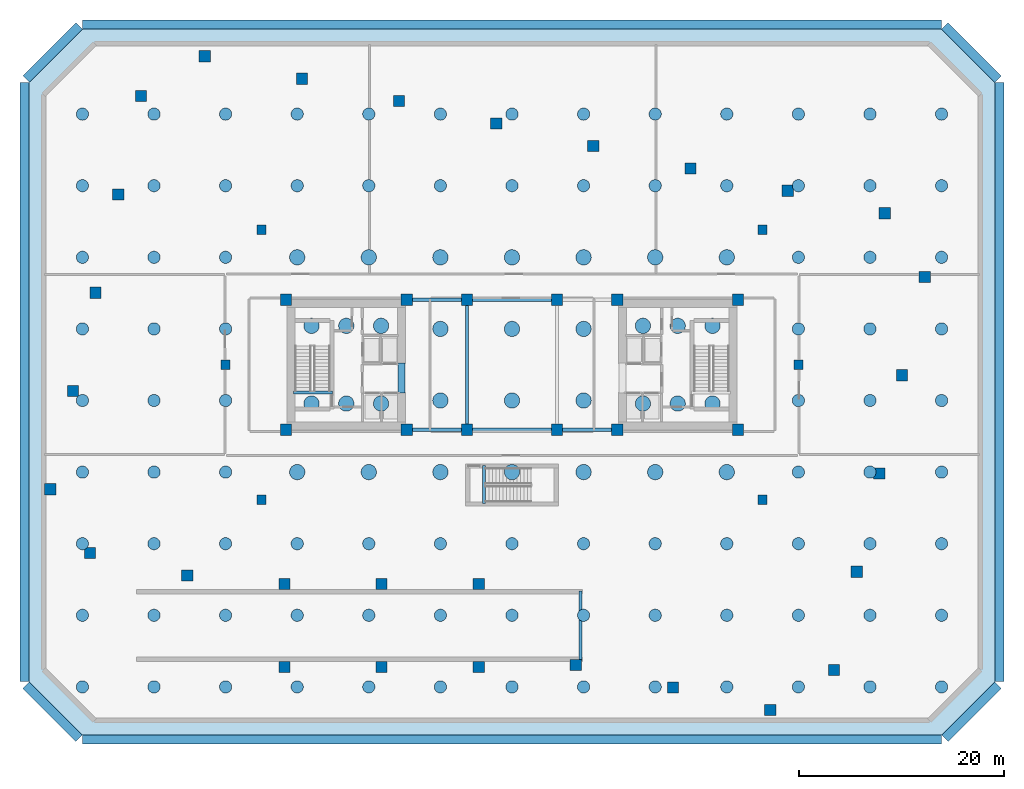
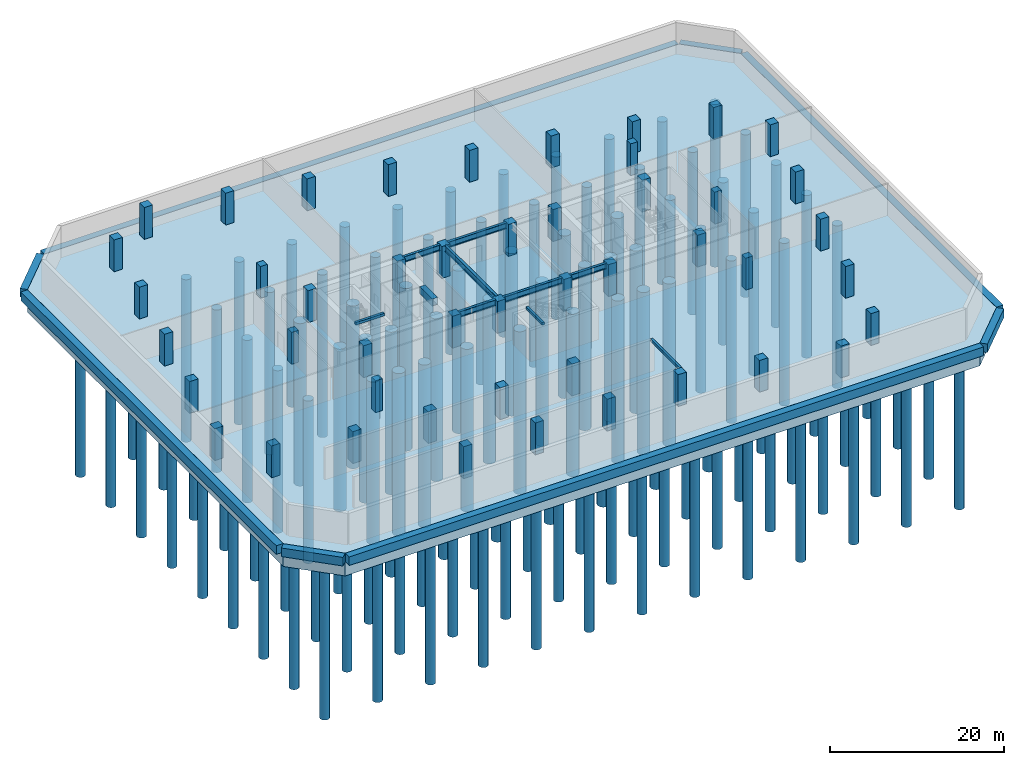
# One storey, part 1 of 10: 121 piles, 47 columns, 10 beams, 9 footings.
"""IFC4 building model written with IfcOpenShell, lengths in metres."""

from ifc_helpers import new_model, si_unit, direction, frame, origin, origin_2d, place, context, subcontext, project, spatial, polyline, rectangle, circle, i_section, outline, extrude, material, layer, layer_set, material_profile, profile_set, type_object, element, save


model = new_model("IFC4")

# Units and contexts
model_context = context("Model", 3, precision=1e-05, world=origin(), true_north=direction((0.0, 1.0)))
body_context = subcontext(model_context, "Body", "Model", "MODEL_VIEW")
ifc_project = project(units=[si_unit("LENGTHUNIT", "METRE"), si_unit("AREAUNIT", "SQUARE_METRE"), si_unit("VOLUMEUNIT", "CUBIC_METRE"), si_unit("PLANEANGLEUNIT", "RADIAN"), si_unit("MASSUNIT", "GRAM", prefix="KILO")], contexts=[model_context])

# Site, building, storey
site_placement = place(None, origin())
site = spatial("IfcSite", under=ifc_project, at=site_placement, CompositionType="ELEMENT")
building_placement = place(site_placement, origin())
building = spatial("IfcBuilding", under=site, at=building_placement, Name="Tavrogorsk Clinical Tower", CompositionType="ELEMENT")
storey_placement = place(building_placement, frame((0.0, 0.0, -10.199951171875)))
storey = spatial("IfcBuildingStorey", under=building, at=storey_placement, Name="B2", CompositionType="ELEMENT", Elevation=-10.199951171875)

# Piles
ifc_material_1 = material(Name="Concrete B60", Category="concrete")
ifc_material_profile_1 = material_profile(ifc_material_1, circle(Radius=0.60009765625, at=origin_2d()), Name="BORED-PILE-1200")
ifc_profile_set_1 = profile_set([ifc_material_profile_1], Name="Concrete B60")
pile_type_1 = type_object("IfcPileType", Name="BoredPile_1200", PredefinedType="BORED", material=ifc_profile_set_1)
for number, where, z_axis, x_axis, name in (
    (1, (-42.0, -31.5, -3.050048828125), (0.0, 0.0, -1.0), (1.0, 0.0, 0.0), "Bored Pile P2 (1,1)"),
    (2, (-42.0, -24.5, -3.050048828125), (0.0, 0.0, -1.0), (1.0, 0.0, 0.0), "Bored Pile P2 (1,2)"),
    (3, (-42.0, -17.5, -3.050048828125), (0.0, 0.0, -1.0), (1.0, 0.0, 0.0), "Bored Pile P2 (1,3)"),
    (4, (-42.0, -10.5, -3.050048828125), (0.0, 0.0, -1.0), (1.0, 0.0, 0.0), "Bored Pile P2 (1,4)"),
    (5, (-42.0, -3.5, -3.050048828125), (0.0, 0.0, -1.0), (1.0, 0.0, 0.0), "Bored Pile P2 (1,5)"),
    (6, (-42.0, 3.5, -3.050048828125), (0.0, 0.0, -1.0), (1.0, 0.0, 0.0), "Bored Pile P2 (1,6)"),
    (7, (-42.0, 10.5, -3.050048828125), (0.0, 0.0, -1.0), (1.0, 0.0, 0.0), "Bored Pile P2 (1,7)"),
    (8, (-42.0, 17.5, -3.050048828125), (0.0, 0.0, -1.0), (1.0, 0.0, 0.0), "Bored Pile P2 (1,8)"),
    (9, (-42.0, 24.5, -3.050048828125), (0.0, 0.0, -1.0), (1.0, 0.0, 0.0), "Bored Pile P2 (1,9)"),
    (10, (-35.0, -31.5, -3.050048828125), (0.0, 0.0, -1.0), (1.0, 0.0, 0.0), "Bored Pile P2 (2,1)"),
    (11, (-35.0, -24.5, -3.050048828125), (0.0, 0.0, -1.0), (1.0, 0.0, 0.0), "Bored Pile P2 (2,2)"),
    (12, (-35.0, -17.5, -3.050048828125), (0.0, 0.0, -1.0), (1.0, 0.0, 0.0), "Bored Pile P2 (2,3)"),
    (13, (-35.0, -10.5, -3.050048828125), (0.0, 0.0, -1.0), (1.0, 0.0, 0.0), "Bored Pile P2 (2,4)"),
    (14, (-35.0, -3.5, -3.050048828125), (0.0, 0.0, -1.0), (1.0, 0.0, 0.0), "Bored Pile P2 (2,5)"),
    (15, (-35.0, 3.5, -3.050048828125), (0.0, 0.0, -1.0), (1.0, 0.0, 0.0), "Bored Pile P2 (2,6)"),
    (16, (-35.0, 10.5, -3.050048828125), (0.0, 0.0, -1.0), (1.0, 0.0, 0.0), "Bored Pile P2 (2,7)"),
    (17, (-35.0, 17.5, -3.050048828125), (0.0, 0.0, -1.0), (1.0, 0.0, 0.0), "Bored Pile P2 (2,8)"),
    (18, (-35.0, 24.5, -3.050048828125), (0.0, 0.0, -1.0), (1.0, 0.0, 0.0), "Bored Pile P2 (2,9)"),
    (19, (-28.0, -31.5, -3.050048828125), (0.0, 0.0, -1.0), (1.0, 0.0, 0.0), "Bored Pile P2 (3,1)"),
    (20, (-28.0, -24.5, -3.050048828125), (0.0, 0.0, -1.0), (1.0, 0.0, 0.0), "Bored Pile P2 (3,2)"),
    (21, (-28.0, -17.5, -3.050048828125), (0.0, 0.0, -1.0), (1.0, 0.0, 0.0), "Bored Pile P2 (3,3)"),
    (22, (-28.0, -10.5, -3.050048828125), (0.0, 0.0, -1.0), (1.0, 0.0, 0.0), "Bored Pile P2 (3,4)"),
    (23, (-28.0, -3.5, -3.050048828125), (0.0, 0.0, -1.0), (1.0, 0.0, 0.0), "Bored Pile P2 (3,5)"),
    (24, (-28.0, 3.5, -3.050048828125), (0.0, 0.0, -1.0), (1.0, 0.0, 0.0), "Bored Pile P2 (3,6)"),
    (25, (-28.0, 10.5, -3.050048828125), (0.0, 0.0, -1.0), (1.0, 0.0, 0.0), "Bored Pile P2 (3,7)"),
    (26, (-28.0, 17.5, -3.050048828125), (0.0, 0.0, -1.0), (1.0, 0.0, 0.0), "Bored Pile P2 (3,8)"),
    (27, (-28.0, 24.5, -3.050048828125), (0.0, 0.0, -1.0), (1.0, 0.0, 0.0), "Bored Pile P2 (3,9)"),
    (28, (-21.0, -31.5, -3.050048828125), (0.0, 0.0, -1.0), (1.0, 0.0, 0.0), "Bored Pile P2 (4,1)"),
    (29, (-21.0, -24.5, -3.050048828125), (0.0, 0.0, -1.0), (1.0, 0.0, 0.0), "Bored Pile P2 (4,2)"),
    (30, (-21.0, -17.5, -3.050048828125), (0.0, 0.0, -1.0), (1.0, 0.0, 0.0), "Bored Pile P2 (4,3)"),
    (31, (-21.0, 17.5, -3.050048828125), (0.0, 0.0, -1.0), (1.0, 0.0, 0.0), "Bored Pile P2 (4,8)"),
    (32, (-21.0, 24.5, -3.050048828125), (0.0, 0.0, -1.0), (1.0, 0.0, 0.0), "Bored Pile P2 (4,9)"),
    (33, (-14.0, -31.5, -3.050048828125), (0.0, 0.0, -1.0), (1.0, 0.0, 0.0), "Bored Pile P2 (5,1)"),
    (34, (-14.0, -24.5, -3.050048828125), (0.0, 0.0, -1.0), (1.0, 0.0, 0.0), "Bored Pile P2 (5,2)"),
    (35, (-14.0, -17.5, -3.050048828125), (0.0, 0.0, -1.0), (1.0, 0.0, 0.0), "Bored Pile P2 (5,3)"),
    (36, (-14.0, 17.5, -3.050048828125), (0.0, 0.0, -1.0), (1.0, 0.0, 0.0), "Bored Pile P2 (5,8)"),
    (37, (-14.0, 24.5, -3.050048828125), (0.0, 0.0, -1.0), (1.0, 0.0, 0.0), "Bored Pile P2 (5,9)"),
    (38, (-7.0, -31.5, -3.050048828125), (0.0, 0.0, -1.0), (1.0, 0.0, 0.0), "Bored Pile P2 (6,1)"),
    (39, (-7.0, -24.5, -3.050048828125), (0.0, 0.0, -1.0), (1.0, 0.0, 0.0), "Bored Pile P2 (6,2)"),
    (40, (-7.0, -17.5, -3.050048828125), (0.0, 0.0, -1.0), (1.0, 0.0, 0.0), "Bored Pile P2 (6,3)"),
    (41, (-7.0, 17.5, -3.050048828125), (0.0, 0.0, -1.0), (1.0, 0.0, 0.0), "Bored Pile P2 (6,8)"),
    (42, (-7.0, 24.5, -3.050048828125), (0.0, 0.0, -1.0), (1.0, 0.0, 0.0), "Bored Pile P2 (6,9)"),
    (43, (0.0, -31.5, -3.050048828125), (0.0, 0.0, -1.0), (1.0, 0.0, 0.0), "Bored Pile P2 (7,1)"),
    (44, (0.0, -24.5, -3.050048828125), (0.0, 0.0, -1.0), (1.0, 0.0, 0.0), "Bored Pile P2 (7,2)"),
    (45, (0.0, -17.5, -3.050048828125), (0.0, 0.0, -1.0), (1.0, 0.0, 0.0), "Bored Pile P2 (7,3)"),
    (46, (0.0, 17.5, -3.050048828125), (0.0, 0.0, -1.0), (1.0, 0.0, 0.0), "Bored Pile P2 (7,8)"),
    (47, (0.0, 24.5, -3.050048828125), (0.0, 0.0, -1.0), (1.0, 0.0, 0.0), "Bored Pile P2 (7,9)"),
    (48, (7.0, -31.5, -3.050048828125), (0.0, 0.0, -1.0), (1.0, 0.0, 0.0), "Bored Pile P2 (8,1)"),
    (49, (7.0, -24.5, -3.050048828125), (0.0, 0.0, -1.0), (1.0, 0.0, 0.0), "Bored Pile P2 (8,2)"),
    (50, (7.0, -17.5, -3.050048828125), (0.0, 0.0, -1.0), (1.0, 0.0, 0.0), "Bored Pile P2 (8,3)"),
    (51, (7.0, 17.5, -3.050048828125), (0.0, 0.0, -1.0), (1.0, 0.0, 0.0), "Bored Pile P2 (8,8)"),
    (52, (7.0, 24.5, -3.050048828125), (0.0, 0.0, -1.0), (1.0, 0.0, 0.0), "Bored Pile P2 (8,9)"),
    (53, (14.0, -31.5, -3.050048828125), (0.0, 0.0, -1.0), (1.0, 0.0, 0.0), "Bored Pile P2 (9,1)"),
    (54, (14.0, -24.5, -3.050048828125), (0.0, 0.0, -1.0), (1.0, 0.0, 0.0), "Bored Pile P2 (9,2)"),
    (55, (14.0, -17.5, -3.050048828125), (0.0, 0.0, -1.0), (1.0, 0.0, 0.0), "Bored Pile P2 (9,3)"),
    (56, (14.0, 17.5, -3.050048828125), (0.0, 0.0, -1.0), (1.0, 0.0, 0.0), "Bored Pile P2 (9,8)"),
    (57, (14.0, 24.5, -3.050048828125), (0.0, 0.0, -1.0), (1.0, 0.0, 0.0), "Bored Pile P2 (9,9)"),
    (58, (21.0, -31.5, -3.050048828125), (0.0, 0.0, -1.0), (1.0, 0.0, 0.0), "Bored Pile P2 (10,1)"),
    (59, (21.0, -24.5, -3.050048828125), (0.0, 0.0, -1.0), (1.0, 0.0, 0.0), "Bored Pile P2 (10,2)"),
    (60, (21.0, -17.5, -3.050048828125), (0.0, 0.0, -1.0), (1.0, 0.0, 0.0), "Bored Pile P2 (10,3)"),
    (61, (21.0, 17.5, -3.050048828125), (0.0, 0.0, -1.0), (1.0, 0.0, 0.0), "Bored Pile P2 (10,8)"),
    (62, (21.0, 24.5, -3.050048828125), (0.0, 0.0, -1.0), (1.0, 0.0, 0.0), "Bored Pile P2 (10,9)"),
    (63, (28.0, -31.5, -3.050048828125), (0.0, 0.0, -1.0), (1.0, 0.0, 0.0), "Bored Pile P2 (11,1)"),
    (64, (28.0, -24.5, -3.050048828125), (0.0, 0.0, -1.0), (1.0, 0.0, 0.0), "Bored Pile P2 (11,2)"),
    (65, (28.0, -17.5, -3.050048828125), (0.0, 0.0, -1.0), (1.0, 0.0, 0.0), "Bored Pile P2 (11,3)"),
    (66, (28.0, -10.5, -3.050048828125), (0.0, 0.0, -1.0), (1.0, 0.0, 0.0), "Bored Pile P2 (11,4)"),
    (67, (28.0, -3.5, -3.050048828125), (0.0, 0.0, -1.0), (1.0, 0.0, 0.0), "Bored Pile P2 (11,5)"),
    (68, (28.0, 3.5, -3.050048828125), (0.0, 0.0, -1.0), (1.0, 0.0, 0.0), "Bored Pile P2 (11,6)"),
    (69, (28.0, 10.5, -3.050048828125), (0.0, 0.0, -1.0), (1.0, 0.0, 0.0), "Bored Pile P2 (11,7)"),
    (70, (28.0, 17.5, -3.050048828125), (0.0, 0.0, -1.0), (1.0, 0.0, 0.0), "Bored Pile P2 (11,8)"),
    (71, (28.0, 24.5, -3.050048828125), (0.0, 0.0, -1.0), (1.0, 0.0, 0.0), "Bored Pile P2 (11,9)"),
    (72, (35.0, -31.5, -3.050048828125), (0.0, 0.0, -1.0), (1.0, 0.0, 0.0), "Bored Pile P2 (12,1)"),
    (73, (35.0, -24.5, -3.050048828125), (0.0, 0.0, -1.0), (1.0, 0.0, 0.0), "Bored Pile P2 (12,2)"),
    (74, (35.0, -17.5, -3.050048828125), (0.0, 0.0, -1.0), (1.0, 0.0, 0.0), "Bored Pile P2 (12,3)"),
    (75, (35.0, -10.5, -3.050048828125), (0.0, 0.0, -1.0), (1.0, 0.0, 0.0), "Bored Pile P2 (12,4)"),
    (76, (35.0, -3.5, -3.050048828125), (0.0, 0.0, -1.0), (1.0, 0.0, 0.0), "Bored Pile P2 (12,5)"),
    (77, (35.0, 3.5, -3.050048828125), (0.0, 0.0, -1.0), (1.0, 0.0, 0.0), "Bored Pile P2 (12,6)"),
    (78, (35.0, 10.5, -3.050048828125), (0.0, 0.0, -1.0), (1.0, 0.0, 0.0), "Bored Pile P2 (12,7)"),
    (79, (35.0, 17.5, -3.050048828125), (0.0, 0.0, -1.0), (1.0, 0.0, 0.0), "Bored Pile P2 (12,8)"),
    (80, (35.0, 24.5, -3.050048828125), (0.0, 0.0, -1.0), (1.0, 0.0, 0.0), "Bored Pile P2 (12,9)"),
    (81, (42.0, -31.5, -3.050048828125), (0.0, 0.0, -1.0), (1.0, 0.0, 0.0), "Bored Pile P2 (13,1)"),
    (82, (42.0, -24.5, -3.050048828125), (0.0, 0.0, -1.0), (1.0, 0.0, 0.0), "Bored Pile P2 (13,2)"),
    (83, (42.0, -17.5, -3.050048828125), (0.0, 0.0, -1.0), (1.0, 0.0, 0.0), "Bored Pile P2 (13,3)"),
    (84, (42.0, -10.5, -3.050048828125), (0.0, 0.0, -1.0), (1.0, 0.0, 0.0), "Bored Pile P2 (13,4)"),
    (85, (42.0, -3.5, -3.050048828125), (0.0, 0.0, -1.0), (1.0, 0.0, 0.0), "Bored Pile P2 (13,5)"),
    (86, (42.0, 3.5, -3.050048828125), (0.0, 0.0, -1.0), (1.0, 0.0, 0.0), "Bored Pile P2 (13,6)"),
    (87, (42.0, 10.5, -3.050048828125), (0.0, 0.0, -1.0), (1.0, 0.0, 0.0), "Bored Pile P2 (13,7)"),
    (88, (42.0, 17.5, -3.050048828125), (0.0, 0.0, -1.0), (1.0, 0.0, 0.0), "Bored Pile P2 (13,8)"),
    (89, (42.0, 24.5, -3.050048828125), (0.0, 0.0, -1.0), (1.0, 0.0, 0.0), "Bored Pile P2 (13,9)"),
):
    element("IfcPile", number, at=place(storey_placement, frame(where, z_axis=z_axis, x_axis=x_axis)), inside=storey, type_object=pile_type_1, Name=name, PredefinedType="BORED", context=body_context, shape_type="SweptSolid", body=[
        extrude(circle(Radius=0.60009765625, at=origin_2d()), origin(), (0.0, 0.0, 1.0), 22.75),
    ])
ifc_material_2 = material(Name="Concrete B60", Category="concrete")
ifc_material_profile_2 = material_profile(ifc_material_2, circle(Radius=0.75, at=origin_2d()), Name="BORED-PILE-1500")
ifc_profile_set_2 = profile_set([ifc_material_profile_2], Name="Concrete B60")
pile_type_2 = type_object("IfcPileType", Name="BoredPile_1500", PredefinedType="BORED", material=ifc_profile_set_2)
for number, where, z_axis, x_axis, name in (
    (90, (-19.60009765625, -3.800048828125, -3.050048828125), (0.0, 0.0, -1.0), (1.0, 0.0, 0.0), "Core Bored Pile P1-C01"),
    (91, (-16.199951171875, -3.800048828125, -3.050048828125), (0.0, 0.0, -1.0), (1.0, 0.0, 0.0), "Core Bored Pile P1-C02"),
    (92, (-12.800048828125, -3.800048828125, -3.050048828125), (0.0, 0.0, -1.0), (1.0, 0.0, 0.0), "Core Bored Pile P1-C03"),
    (93, (-19.60009765625, 3.800048828125, -3.050048828125), (0.0, 0.0, -1.0), (1.0, 0.0, 0.0), "Core Bored Pile P1-C04"),
    (94, (-16.199951171875, 3.800048828125, -3.050048828125), (0.0, 0.0, -1.0), (1.0, 0.0, 0.0), "Core Bored Pile P1-C05"),
    (95, (-12.800048828125, 3.800048828125, -3.050048828125), (0.0, 0.0, -1.0), (1.0, 0.0, 0.0), "Core Bored Pile P1-C06"),
    (96, (12.800048828125, -3.800048828125, -3.050048828125), (0.0, 0.0, -1.0), (1.0, 0.0, 0.0), "Core Bored Pile P1-C07"),
    (97, (16.199951171875, -3.800048828125, -3.050048828125), (0.0, 0.0, -1.0), (1.0, 0.0, 0.0), "Core Bored Pile P1-C08"),
    (98, (19.60009765625, -3.800048828125, -3.050048828125), (0.0, 0.0, -1.0), (1.0, 0.0, 0.0), "Core Bored Pile P1-C09"),
    (99, (12.800048828125, 3.800048828125, -3.050048828125), (0.0, 0.0, -1.0), (1.0, 0.0, 0.0), "Core Bored Pile P1-C10"),
    (100, (16.199951171875, 3.800048828125, -3.050048828125), (0.0, 0.0, -1.0), (1.0, 0.0, 0.0), "Core Bored Pile P1-C11"),
    (101, (19.60009765625, 3.800048828125, -3.050048828125), (0.0, 0.0, -1.0), (1.0, 0.0, 0.0), "Core Bored Pile P1-C12"),
    (102, (-21.0, -10.5, -3.050048828125), (0.0, 0.0, -1.0), (1.0, 0.0, 0.0), "Bored Pile P1 (4,4)"),
    (103, (-21.0, 10.5, -3.050048828125), (0.0, 0.0, -1.0), (1.0, 0.0, 0.0), "Bored Pile P1 (4,7)"),
    (104, (-14.0, -10.5, -3.050048828125), (0.0, 0.0, -1.0), (1.0, 0.0, 0.0), "Bored Pile P1 (5,4)"),
    (105, (-14.0, 10.5, -3.050048828125), (0.0, 0.0, -1.0), (1.0, 0.0, 0.0), "Bored Pile P1 (5,7)"),
    (106, (-7.0, -10.5, -3.050048828125), (0.0, 0.0, -1.0), (1.0, 0.0, 0.0), "Bored Pile P1 (6,4)"),
    (107, (-7.0, -3.5, -3.050048828125), (0.0, 0.0, -1.0), (1.0, 0.0, 0.0), "Bored Pile P1 (6,5)"),
    (108, (-7.0, 3.5, -3.050048828125), (0.0, 0.0, -1.0), (1.0, 0.0, 0.0), "Bored Pile P1 (6,6)"),
    (109, (-7.0, 10.5, -3.050048828125), (0.0, 0.0, -1.0), (1.0, 0.0, 0.0), "Bored Pile P1 (6,7)"),
    (110, (0.0, -10.5, -3.050048828125), (0.0, 0.0, -1.0), (1.0, 0.0, 0.0), "Bored Pile P1 (7,4)"),
    (111, (0.0, -3.5, -3.050048828125), (0.0, 0.0, -1.0), (1.0, 0.0, 0.0), "Bored Pile P1 (7,5)"),
    (112, (0.0, 3.5, -3.050048828125), (0.0, 0.0, -1.0), (1.0, 0.0, 0.0), "Bored Pile P1 (7,6)"),
    (113, (0.0, 10.5, -3.050048828125), (0.0, 0.0, -1.0), (1.0, 0.0, 0.0), "Bored Pile P1 (7,7)"),
    (114, (7.0, -10.5, -3.050048828125), (0.0, 0.0, -1.0), (1.0, 0.0, 0.0), "Bored Pile P1 (8,4)"),
    (115, (7.0, -3.5, -3.050048828125), (0.0, 0.0, -1.0), (1.0, 0.0, 0.0), "Bored Pile P1 (8,5)"),
    (116, (7.0, 3.5, -3.050048828125), (0.0, 0.0, -1.0), (1.0, 0.0, 0.0), "Bored Pile P1 (8,6)"),
    (117, (7.0, 10.5, -3.050048828125), (0.0, 0.0, -1.0), (1.0, 0.0, 0.0), "Bored Pile P1 (8,7)"),
    (118, (14.0, -10.5, -3.050048828125), (0.0, 0.0, -1.0), (1.0, 0.0, 0.0), "Bored Pile P1 (9,4)"),
    (119, (14.0, 10.5, -3.050048828125), (0.0, 0.0, -1.0), (1.0, 0.0, 0.0), "Bored Pile P1 (9,7)"),
    (120, (21.0, -10.5, -3.050048828125), (0.0, 0.0, -1.0), (1.0, 0.0, 0.0), "Bored Pile P1 (10,4)"),
    (121, (21.0, 10.5, -3.050048828125), (0.0, 0.0, -1.0), (1.0, 0.0, 0.0), "Bored Pile P1 (10,7)"),
):
    element("IfcPile", number, at=place(storey_placement, frame(where, z_axis=z_axis, x_axis=x_axis)), inside=storey, type_object=pile_type_2, Name=name, PredefinedType="BORED", context=body_context, shape_type="SweptSolid", body=[
        extrude(circle(Radius=0.75, at=origin_2d()), origin(), (0.0, 0.0, 1.0), 22.75),
    ])

# Footings
ifc_material_3 = material(Name="Concrete B60", Category="concrete")
ifc_material_profile_3 = material_profile(ifc_material_3, rectangle(XDim=0.89990234375, YDim=1.199951171875, at=origin_2d()), Name="RC-GB-900x1200")
ifc_profile_set_3 = profile_set([ifc_material_profile_3], Name="Concrete B60")
footing_type_1 = type_object("IfcFootingType", Name="GroundBeam_900x1200", PredefinedType="FOOTING_BEAM", material=ifc_profile_set_3)
footing_1_placement = place(storey_placement, frame((-42.32861328125, -36.510498046875, -0.60009765625), z_axis=(-0.707106781187, 0.707106781187, 0.0), x_axis=(-0.707106781187, -0.707106781187, 0.0)))
element("IfcFooting", 122, at=footing_1_placement, inside=storey, type_object=footing_type_1, Name="Perimeter Ground Beam GB-01", PredefinedType="FOOTING_BEAM", context=body_context, shape_type="SweptSolid", body=[
    extrude(rectangle(XDim=0.89990234375, YDim=1.199951171875, at=origin_2d()), origin(), (0.0, 0.0, 1.0), 7.328369140625),
])
footing_2_placement = place(storey_placement, frame((-47.652099609375, -30.9873046875, -0.60009765625), z_axis=(0.0, 1.0, 0.0), x_axis=(-1.0, 0.0, 0.0)))
element("IfcFooting", 123, at=footing_2_placement, inside=storey, type_object=footing_type_1, Name="Perimeter Ground Beam GB-02", PredefinedType="FOOTING_BEAM", context=body_context, shape_type="SweptSolid", body=[
    extrude(rectangle(XDim=0.89990234375, YDim=1.199951171875, at=origin_2d()), origin(), (0.0, 0.0, 1.0), 58.574462890625),
])
footing_3_placement = place(storey_placement, frame((-47.510498046875, 27.9287109375, -0.60009765625), z_axis=(0.707106781187, 0.707106781187, 0.0), x_axis=(-0.707106781187, 0.707106781187, 0.0)))
element("IfcFooting", 124, at=footing_3_placement, inside=storey, type_object=footing_type_1, Name="Perimeter Ground Beam GB-03", PredefinedType="FOOTING_BEAM", context=body_context, shape_type="SweptSolid", body=[
    extrude(rectangle(XDim=0.89990234375, YDim=1.199951171875, at=origin_2d()), origin(), (0.0, 0.0, 1.0), 7.328369140625),
])
footing_4_placement = place(storey_placement, frame((-41.9873046875, 33.251953125, -0.60009765625), z_axis=(1.0, 0.0, 0.0), x_axis=(0.0, 1.0, 0.0)))
element("IfcFooting", 125, at=footing_4_placement, inside=storey, type_object=footing_type_1, Name="Perimeter Ground Beam GB-04", PredefinedType="FOOTING_BEAM", context=body_context, shape_type="SweptSolid", body=[
    extrude(rectangle(XDim=0.89990234375, YDim=1.199951171875, at=origin_2d()), origin(), (0.0, 0.0, 1.0), 83.974609375),
])
footing_5_placement = place(storey_placement, frame((42.32861328125, 33.110595703125, -0.60009765625), z_axis=(0.707106781187, -0.707106781187, 0.0), x_axis=(0.707106781187, 0.707106781187, 0.0)))
element("IfcFooting", 126, at=footing_5_placement, inside=storey, type_object=footing_type_1, Name="Perimeter Ground Beam GB-05", PredefinedType="FOOTING_BEAM", context=body_context, shape_type="SweptSolid", body=[
    extrude(rectangle(XDim=0.89990234375, YDim=1.199951171875, at=origin_2d()), origin(), (0.0, 0.0, 1.0), 7.328369140625),
])
footing_6_placement = place(storey_placement, frame((47.652099609375, 27.587158203125, -0.60009765625), z_axis=(0.0, -1.0, 0.0), x_axis=(1.0, 0.0, 0.0)))
element("IfcFooting", 127, at=footing_6_placement, inside=storey, type_object=footing_type_1, Name="Perimeter Ground Beam GB-06", PredefinedType="FOOTING_BEAM", context=body_context, shape_type="SweptSolid", body=[
    extrude(rectangle(XDim=0.89990234375, YDim=1.199951171875, at=origin_2d()), origin(), (0.0, 0.0, 1.0), 58.574462890625),
])
footing_7_placement = place(storey_placement, frame((47.510498046875, -31.32861328125, -0.60009765625), z_axis=(-0.707106781187, -0.707106781187, 0.0), x_axis=(0.707106781187, -0.707106781187, 0.0)))
element("IfcFooting", 128, at=footing_7_placement, inside=storey, type_object=footing_type_1, Name="Perimeter Ground Beam GB-07", PredefinedType="FOOTING_BEAM", context=body_context, shape_type="SweptSolid", body=[
    extrude(rectangle(XDim=0.89990234375, YDim=1.199951171875, at=origin_2d()), origin(), (0.0, 0.0, 1.0), 7.328369140625),
])
footing_8_placement = place(storey_placement, frame((41.9873046875, -36.652099609375, -0.60009765625), z_axis=(-1.0, 0.0, 0.0), x_axis=(0.0, -1.0, 0.0)))
element("IfcFooting", 129, at=footing_8_placement, inside=storey, type_object=footing_type_1, Name="Perimeter Ground Beam GB-08", PredefinedType="FOOTING_BEAM", context=body_context, shape_type="SweptSolid", body=[
    extrude(rectangle(XDim=0.89990234375, YDim=1.199951171875, at=origin_2d()), origin(), (0.0, 0.0, 1.0), 83.974609375),
])
ifc_material_4 = material(Name="Concrete B60", Category="concrete")
ifc_layer = layer(ifc_material_4, 3.199951171875)
ifc_layer_set = layer_set([ifc_layer], Name="Concrete B60")
footing_type_2 = type_object("IfcFootingType", Name="RaftFooting_3200", PredefinedType="PILE_CAP", material=ifc_layer_set)
footing_9_placement = place(storey_placement, frame((0.0, 0.0, -3.199951171875)))
element("IfcFooting", 130, at=footing_9_placement, inside=storey, type_object=footing_type_2, Name="Combined Piled Raft RF-01", PredefinedType="PILE_CAP", context=body_context, shape_type="SweptSolid", body=[
    extrude(outline(polyline([(-42.0, -36.199951171875), (42.0, -36.199951171875), (47.199951171875, -31.0), (47.199951171875, 27.60009765625), (42.0, 32.800048828125), (-42.0, 32.800048828125), (-47.199951171875, 27.60009765625), (-47.199951171875, -31.0), (-42.0, -36.199951171875)])), origin(), (0.0, 0.0, 1.0), 3.199951171875),
])

# Columns
ifc_material_5 = material(Name="Concrete B80", Category="concrete")
ifc_material_profile_4 = material_profile(ifc_material_5, rectangle(XDim=1.10009765625, YDim=1.10009765625, at=origin_2d()), Name="RC-COL-1100x1100")
ifc_profile_set_4 = profile_set([ifc_material_profile_4], Name="Concrete B80")
column_type_1 = type_object("IfcColumnType", Name="BasementCol_RC1100", PredefinedType="COLUMN", material=ifc_profile_set_4)
for number, where, z_axis, x_axis, name in (
    (131, (-22.10009765625, -6.35009765625, 0.0), (0.0, 0.0, 1.0), (1.0, 0.0, 0.0), "B2 Mega Column MC-W1"),
    (132, (-22.10009765625, 6.35009765625, 0.0), (0.0, 0.0, 1.0), (1.0, 0.0, 0.0), "B2 Mega Column MC-W2"),
    (133, (-10.300048828125, -6.35009765625, 0.0), (0.0, 0.0, 1.0), (1.0, 0.0, 0.0), "B2 Mega Column MC-W3"),
    (134, (-10.300048828125, 6.35009765625, 0.0), (0.0, 0.0, 1.0), (1.0, 0.0, 0.0), "B2 Mega Column MC-W4"),
    (135, (10.300048828125, -6.35009765625, 0.0), (0.0, 0.0, 1.0), (1.0, 0.0, 0.0), "B2 Mega Column MC-E1"),
    (136, (10.300048828125, 6.35009765625, 0.0), (0.0, 0.0, 1.0), (1.0, 0.0, 0.0), "B2 Mega Column MC-E2"),
    (137, (22.10009765625, -6.35009765625, 0.0), (0.0, 0.0, 1.0), (1.0, 0.0, 0.0), "B2 Mega Column MC-E3"),
    (138, (22.10009765625, 6.35009765625, 0.0), (0.0, 0.0, 1.0), (1.0, 0.0, 0.0), "B2 Mega Column MC-E4"),
    (139, (-4.39990234375, -6.35009765625, 0.0), (0.0, 0.0, 1.0), (1.0, 0.0, 0.0), "B2 Mega Column MC-C1"),
    (140, (4.39990234375, -6.35009765625, 0.0), (0.0, 0.0, 1.0), (1.0, 0.0, 0.0), "B2 Mega Column MC-C2"),
    (141, (-4.39990234375, 6.35009765625, 0.0), (0.0, 0.0, 1.0), (1.0, 0.0, 0.0), "B2 Mega Column MC-C3"),
    (142, (4.39990234375, 6.35009765625, 0.0), (0.0, 0.0, 1.0), (1.0, 0.0, 0.0), "B2 Mega Column MC-C4"),
    (143, (-41.251220703125, -18.406005859375, 0.0), (0.0, 0.0, 1.0), (1.0, 0.0, 0.0), "B2 Open Pilotis Stilt S1"),
    (144, (-31.75244140625, -20.598876953125, 0.0), (0.0, 0.0, 1.0), (1.0, 0.0, 0.0), "B2 Open Pilotis Stilt S2"),
    (145, (-22.25390625, -29.550048828125, 0.0), (0.0, 0.0, 1.0), (1.0, 0.0, 0.0), "B2 Ramp Portal Stilt S3-S"),
    (146, (-22.25390625, -21.449951171875, 0.0), (0.0, 0.0, 1.0), (1.0, 0.0, 0.0), "B2 Ramp Portal Stilt S3-N"),
    (147, (-12.755126953125, -29.550048828125, 0.0), (0.0, 0.0, 1.0), (1.0, 0.0, 0.0), "B2 Ramp Portal Stilt S4-S"),
    (148, (-12.755126953125, -21.449951171875, 0.0), (0.0, 0.0, 1.0), (1.0, 0.0, 0.0), "B2 Ramp Portal Stilt S4-N"),
    (149, (-3.25634765625, -29.550048828125, 0.0), (0.0, 0.0, 1.0), (1.0, 0.0, 0.0), "B2 Ramp Portal Stilt S5-S"),
    (150, (-3.25634765625, -21.449951171875, 0.0), (0.0, 0.0, 1.0), (1.0, 0.0, 0.0), "B2 Ramp Portal Stilt S5-N"),
    (151, (6.2421875, -29.37060546875, 0.0), (0.0, 0.0, 1.0), (1.0, 0.0, 0.0), "B2 Open Pilotis Stilt S6"),
    (152, (15.740966796875, -31.563720703125, 0.0), (0.0, 0.0, 1.0), (1.0, 0.0, 0.0), "B2 Open Pilotis Stilt S7"),
    (153, (25.23974609375, -33.756591796875, 0.0), (0.0, 0.0, 1.0), (1.0, 0.0, 0.0), "B2 Open Pilotis Stilt S8"),
    (154, (36.451416015625, 14.805908203125, 0.0), (0.0, 0.0, 1.0), (1.0, 0.0, 0.0), "B2 Open Pilotis Stilt N1"),
    (155, (26.952392578125, 16.998779296875, 0.0), (0.0, 0.0, 1.0), (1.0, 0.0, 0.0), "B2 Open Pilotis Stilt N2"),
    (156, (17.453857421875, 19.19189453125, 0.0), (0.0, 0.0, 1.0), (1.0, 0.0, 0.0), "B2 Open Pilotis Stilt N3"),
    (157, (7.955078125, 21.384765625, 0.0), (0.0, 0.0, 1.0), (1.0, 0.0, 0.0), "B2 Open Pilotis Stilt N4"),
    (158, (-1.543701171875, 23.577880859375, 0.0), (0.0, 0.0, 1.0), (1.0, 0.0, 0.0), "B2 Open Pilotis Stilt N5"),
    (159, (-11.042236328125, 25.770751953125, 0.0), (0.0, 0.0, 1.0), (1.0, 0.0, 0.0), "B2 Open Pilotis Stilt N6"),
    (160, (-20.541015625, 27.963623046875, 0.0), (0.0, 0.0, 1.0), (1.0, 0.0, 0.0), "B2 Open Pilotis Stilt N7"),
    (161, (-30.039794921875, 30.156494140625, 0.0), (0.0, 0.0, 1.0), (1.0, 0.0, 0.0), "B2 Open Pilotis Stilt N8"),
    (162, (31.476318359375, -29.859619140625, 0.0), (0.0, 0.0, 1.0), (1.0, 0.0, 0.0), "B2 Open Pilotis Stilt E1"),
    (163, (33.694091796875, -20.25244140625, 0.0), (0.0, 0.0, 1.0), (1.0, 0.0, 0.0), "B2 Open Pilotis Stilt E2"),
    (164, (35.912109375, -10.64501953125, 0.0), (0.0, 0.0, 1.0), (1.0, 0.0, 0.0), "B2 Open Pilotis Stilt E3"),
    (165, (38.130126953125, -1.037841796875, 0.0), (0.0, 0.0, 1.0), (1.0, 0.0, 0.0), "B2 Open Pilotis Stilt E4"),
    (166, (40.348388671875, 8.569580078125, 0.0), (0.0, 0.0, 1.0), (1.0, 0.0, 0.0), "B2 Open Pilotis Stilt E5"),
    (167, (-36.276123046875, 26.259765625, 0.0), (0.0, 0.0, 1.0), (1.0, 0.0, 0.0), "B2 Open Pilotis Stilt W1"),
    (168, (-38.494140625, 16.65234375, 0.0), (0.0, 0.0, 1.0), (1.0, 0.0, 0.0), "B2 Open Pilotis Stilt W2"),
    (169, (-40.712158203125, 7.045166015625, 0.0), (0.0, 0.0, 1.0), (1.0, 0.0, 0.0), "B2 Open Pilotis Stilt W3"),
    (170, (-42.93017578125, -2.562255859375, 0.0), (0.0, 0.0, 1.0), (1.0, 0.0, 0.0), "B2 Open Pilotis Stilt W4"),
    (171, (-45.148193359375, -12.16943359375, 0.0), (0.0, 0.0, 1.0), (1.0, 0.0, 0.0), "B2 Open Pilotis Stilt W5"),
):
    element("IfcColumn", number, at=place(storey_placement, frame(where, z_axis=z_axis, x_axis=x_axis)), inside=storey, type_object=column_type_1, Name=name, PredefinedType="COLUMN", context=body_context, shape_type="SweptSolid", body=[
        extrude(rectangle(XDim=1.10009765625, YDim=1.10009765625, at=origin_2d()), origin(), (0.0, 0.0, 1.0), 4.449951171875),
    ])
ifc_material_6 = material(Name="Concrete B80", Category="concrete")
ifc_material_profile_5 = material_profile(ifc_material_6, rectangle(XDim=0.89990234375, YDim=0.89990234375, at=origin_2d()), Name="RC-COL-900x900")
ifc_profile_set_5 = profile_set([ifc_material_profile_5], Name="Concrete B80")
column_type_2 = type_object("IfcColumnType", Name="BasementCol_RC900", PredefinedType="COLUMN", material=ifc_profile_set_5)
for number, where, z_axis, x_axis, name in (
    (172, (-24.5, -13.199951171875, 0.0), (0.0, 0.0, 1.0), (1.0, 0.0, 0.0), "B2 Spine Pilotis Column MC-P1"),
    (173, (24.5, -13.199951171875, 0.0), (0.0, 0.0, 1.0), (1.0, 0.0, 0.0), "B2 Spine Pilotis Column MC-P2"),
    (174, (-24.5, 13.199951171875, 0.0), (0.0, 0.0, 1.0), (1.0, 0.0, 0.0), "B2 Spine Pilotis Column MC-P3"),
    (175, (24.5, 13.199951171875, 0.0), (0.0, 0.0, 1.0), (1.0, 0.0, 0.0), "B2 Spine Pilotis Column MC-P4"),
    (176, (-28.0, 0.0, 0.0), (0.0, 0.0, 1.0), (1.0, 0.0, 0.0), "B2 Spine Pilotis Column MC-P5"),
    (177, (28.0, 0.0, 0.0), (0.0, 0.0, 1.0), (1.0, 0.0, 0.0), "B2 Spine Pilotis Column MC-P6"),
):
    element("IfcColumn", number, at=place(storey_placement, frame(where, z_axis=z_axis, x_axis=x_axis)), inside=storey, type_object=column_type_2, Name=name, PredefinedType="COLUMN", context=body_context, shape_type="SweptSolid", body=[
        extrude(rectangle(XDim=0.89990234375, YDim=0.89990234375, at=origin_2d()), origin(), (0.0, 0.0, 1.0), 4.449951171875),
    ])

# Beams
ifc_material_7 = material(Name="Concrete B80", Category="concrete")
ifc_material_profile_6 = material_profile(ifc_material_7, rectangle(XDim=0.699951171875, YDim=0.949951171875, at=origin_2d()), Name="RC-CB-700x950")
ifc_profile_set_6 = profile_set([ifc_material_profile_6], Name="Concrete B80")
beam_type_1 = type_object("IfcBeamType", Name="CouplingBeam_RC700x950", PredefinedType="LINTEL", material=ifc_profile_set_6)
beam_1_placement = place(storey_placement, frame((-10.800048828125, -2.75, 3.974853515625), z_axis=(0.0, 1.0, 0.0), x_axis=(-1.0, 0.0, 0.0)))
element("IfcBeam", 178, at=beam_1_placement, inside=storey, type_object=beam_type_1, Name="B2 Core West Coupling Beam", PredefinedType="LINTEL", context=body_context, shape_type="SweptSolid", body=[
    extrude(rectangle(XDim=0.699951171875, YDim=0.949951171875, at=origin_2d()), origin(), (0.0, 0.0, 1.0), 2.89990234375),
])
ifc_material_8 = material(Name="Structural steel S390", Category="steel")
ifc_material_profile_7 = material_profile(ifc_material_8, i_section(OverallWidth=0.320068359375, OverallDepth=0.800048828125, WebThickness=0.02001953125, FlangeThickness=0.033935546875, at=origin_2d()), Name="B-800x320x20x34")
ifc_profile_set_7 = profile_set([ifc_material_profile_7], Name="Structural steel S390")
beam_type_2 = type_object("IfcBeamType", Name="PrimaryGirder_B800", PredefinedType="USERDEFINED", material=ifc_profile_set_7)
for number, where, z_axis, x_axis, name in (
    (179, (-9.800048828125, -6.35009765625, 4.050048828125), (1.0, 0.0, 0.0), (0.0, 1.0, 0.0), "B2 Primary Spine Girder MG-01"),
    (180, (-9.800048828125, 6.35009765625, 4.050048828125), (1.0, 0.0, 0.0), (0.0, 1.0, 0.0), "B2 Primary Spine Girder MG-02"),
):
    element("IfcBeam", number, at=place(storey_placement, frame(where, z_axis=z_axis, x_axis=x_axis)), inside=storey, type_object=beam_type_2, Name=name, ObjectType="GIRDER", PredefinedType="USERDEFINED", context=body_context, shape_type="SweptSolid", body=[
        extrude(i_section(OverallWidth=0.320068359375, OverallDepth=0.800048828125, WebThickness=0.02001953125, FlangeThickness=0.033935546875, at=origin_2d()), origin(), (0.0, 0.0, 1.0), 4.900146484375),
    ])
for number, where, z_axis, x_axis, name in (
    (181, (-3.89990234375, -6.35009765625, 4.050048828125), (1.0, 0.0, 0.0), (0.0, 1.0, 0.0), "B2 Primary Spine Girder MG-03"),
    (182, (-3.89990234375, 6.35009765625, 4.050048828125), (1.0, 0.0, 0.0), (0.0, 1.0, 0.0), "B2 Primary Spine Girder MG-04"),
):
    element("IfcBeam", number, at=place(storey_placement, frame(where, z_axis=z_axis, x_axis=x_axis)), inside=storey, type_object=beam_type_2, Name=name, ObjectType="GIRDER", PredefinedType="USERDEFINED", context=body_context, shape_type="SweptSolid", body=[
        extrude(i_section(OverallWidth=0.320068359375, OverallDepth=0.800048828125, WebThickness=0.02001953125, FlangeThickness=0.033935546875, at=origin_2d()), origin(), (0.0, 0.0, 1.0), 7.7998046875),
    ])
beam_2_placement = place(storey_placement, frame((4.89990234375, -6.35009765625, 4.050048828125), z_axis=(1.0, 0.0, 0.0), x_axis=(0.0, 1.0, 0.0)))
element("IfcBeam", 183, at=beam_2_placement, inside=storey, type_object=beam_type_2, Name="B2 Primary Spine Girder MG-05", ObjectType="GIRDER", PredefinedType="USERDEFINED", context=body_context, shape_type="SweptSolid", body=[
    extrude(i_section(OverallWidth=0.320068359375, OverallDepth=0.800048828125, WebThickness=0.02001953125, FlangeThickness=0.033935546875, at=origin_2d()), origin(), (0.0, 0.0, 1.0), 4.900146484375),
])
beam_3_placement = place(storey_placement, frame((-4.39990234375, -5.85009765625, 4.050048828125), z_axis=(0.0, 1.0, 0.0), x_axis=(-1.0, 0.0, 0.0)))
element("IfcBeam", 184, at=beam_3_placement, inside=storey, type_object=beam_type_2, Name="B2 Primary Spine Girder MG-07", ObjectType="GIRDER", PredefinedType="USERDEFINED", context=body_context, shape_type="SweptSolid", body=[
    extrude(i_section(OverallWidth=0.320068359375, OverallDepth=0.800048828125, WebThickness=0.02001953125, FlangeThickness=0.033935546875, at=origin_2d()), origin(), (0.0, 0.0, 1.0), 11.7001953125),
])
ifc_material_9 = material(Name="Concrete B60", Category="concrete")
ifc_material_profile_8 = material_profile(ifc_material_9, rectangle(XDim=0.300048828125, YDim=0.35009765625, at=origin_2d()), Name="RC-SHB-300x350")
ifc_profile_set_8 = profile_set([ifc_material_profile_8], Name="Concrete B60")
beam_type_3 = type_object("IfcBeamType", Name="StairHeaderBeam_RC300x350", PredefinedType="BEAM", material=ifc_profile_set_8)
beam_4_placement = place(storey_placement, frame((-21.35009765625, -2.719970703125, 4.625), z_axis=(1.0, 0.0, 0.0), x_axis=(0.0, 1.0, 0.0)))
element("IfcBeam", 185, at=beam_4_placement, inside=storey, type_object=beam_type_3, Name="B1 ST-W Landing Header Beam", PredefinedType="BEAM", context=body_context, shape_type="SweptSolid", body=[
    extrude(rectangle(XDim=0.300048828125, YDim=0.35009765625, at=origin_2d()), origin(), (0.0, 0.0, 1.0), 3.800048828125),
])
beam_5_placement = place(storey_placement, frame((-2.719970703125, -13.550048828125, 4.625), z_axis=(0.0, 1.0, 0.0), x_axis=(-1.0, 0.0, 0.0)))
element("IfcBeam", 186, at=beam_5_placement, inside=storey, type_object=beam_type_3, Name="B1 ST-P Landing Header Beam", PredefinedType="BEAM", context=body_context, shape_type="SweptSolid", body=[
    extrude(rectangle(XDim=0.300048828125, YDim=0.35009765625, at=origin_2d()), origin(), (0.0, 0.0, 1.0), 3.699951171875),
])
beam_6_placement = place(storey_placement, frame((6.699951171875, -28.89990234375, 4.27490234375), z_axis=(0.0, 1.0, 0.0), x_axis=(-1.0, 0.0, 0.0)))
element("IfcBeam", 187, at=beam_6_placement, inside=storey, type_object=beam_type_3, Name="B1 Vehicle Ramp Bottom Header Beam", PredefinedType="BEAM", context=body_context, shape_type="SweptSolid", body=[
    extrude(rectangle(XDim=0.300048828125, YDim=0.35009765625, at=origin_2d()), origin(), (0.0, 0.0, 1.0), 6.7998046875),
])

save(model, "model.ifc")
